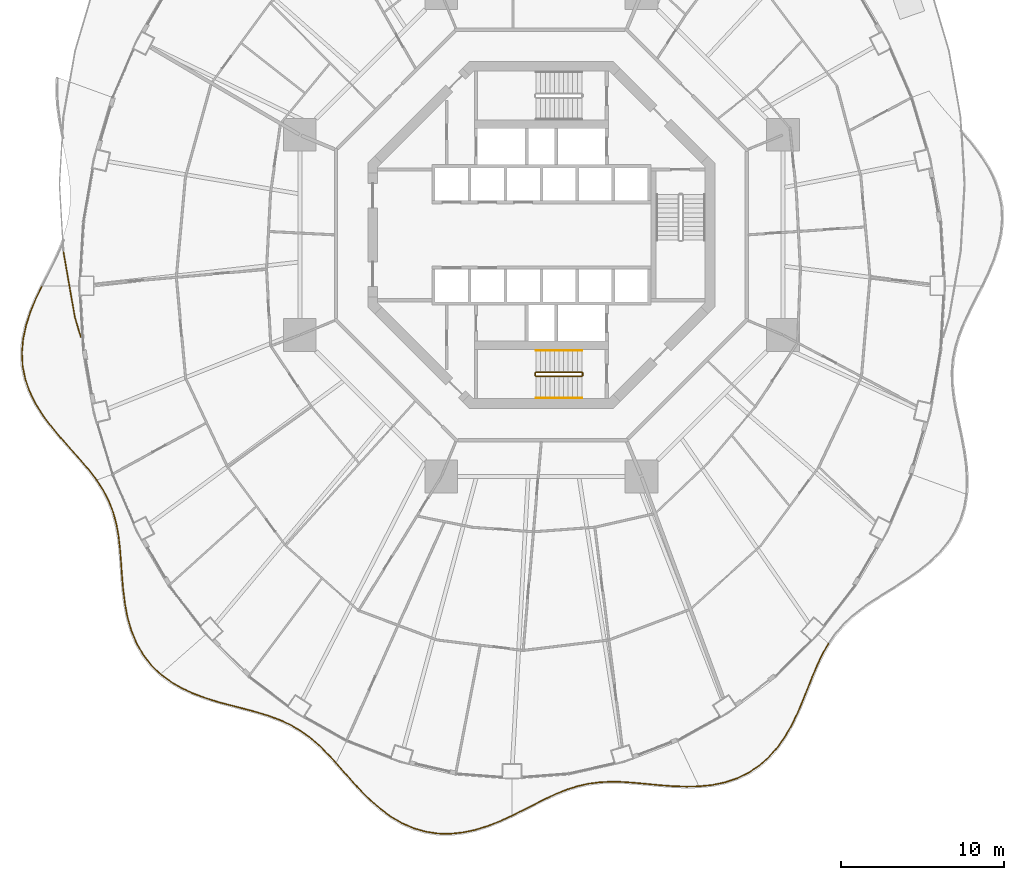
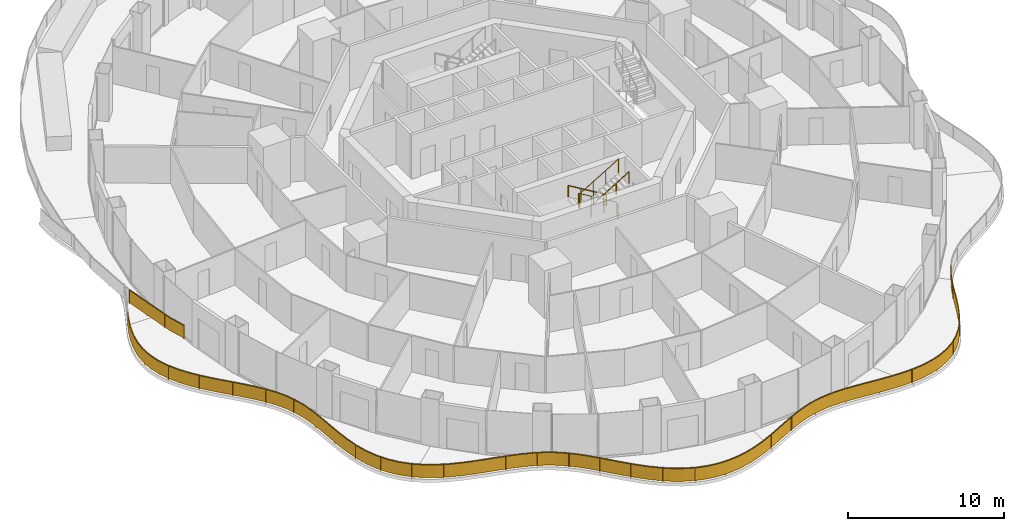
# One storey, part 18 of 20: 10 railings.
"""IFC4 building model written with IfcOpenShell, lengths in metres."""

from ifc_helpers import new_model, si_unit, direction, frame, origin, origin_2d, place, context, subcontext, project, spatial, polyline, rectangle, circle, outline, extrude, material, type_object, element, save


model = new_model("IFC4")

# Units and contexts
model_context = context("Model", 3, precision=1e-05, world=origin(), true_north=direction((0.0, 1.0)))
body_context = subcontext(model_context, "Body", "Model", "MODEL_VIEW")
ifc_project = project(units=[si_unit("LENGTHUNIT", "METRE"), si_unit("AREAUNIT", "SQUARE_METRE"), si_unit("VOLUMEUNIT", "CUBIC_METRE"), si_unit("PLANEANGLEUNIT", "RADIAN"), si_unit("MASSUNIT", "GRAM", prefix="KILO")], contexts=[model_context])

# Site, building, storey
site_placement = place(None, origin())
site = spatial("IfcSite", under=ifc_project, at=site_placement, CompositionType="ELEMENT")
building_placement = place(site_placement, origin())
building = spatial("IfcBuilding", under=site, at=building_placement, Name="Nagisa Residences", CompositionType="ELEMENT")
storey_placement = place(building_placement, frame((0.0, 0.0, 119.60009765625)))
storey = spatial("IfcBuildingStorey", under=building, at=storey_placement, Name="L29", CompositionType="ELEMENT", Elevation=119.60009765625)

# Railings
ifc_material_1 = material(Name="Stainless steel 316", Category="steel")
railing_type_1 = type_object("IfcRailingType", Name="BALCONY GUARD 1100", PredefinedType="BALUSTRADE", material=ifc_material_1)
railing_1_placement = place(storey_placement, frame((-30.56494140625, -3.11767578125, 0.0)))
element("IfcRailing", 1, at=railing_1_placement, inside=storey, type_object=railing_type_1, Name="guard:L29:bal08-0", PredefinedType="BALUSTRADE", context=body_context, shape_type="SweptSolid", body=[
    extrude(outline(polyline([(-0.353759765625, -0.798828125), (0.0224609375, -0.0107421875), (-0.0224609375, 0.0107421875), (-0.399658203125, -0.7783203125), (-0.7333984375, -1.590576171875), (-0.99951171875, -2.41455078125), (-1.177490234375, -3.24560546875), (-1.25048828125, -4.07666015625), (-1.210205078125, -4.88671875), (-1.05078125, -5.695556640625), (-0.77783203125, -6.48291015625), (-0.40185546875, -7.243896484375), (0.060546875, -7.97607421875), (0.58447265625, -8.664794921875), (1.15185546875, -9.340576171875), (1.734619140625, -9.994140625), (2.306640625, -10.63330078125), (2.8447265625, -11.266845703125), (3.32861328125, -11.8984375), (3.3681640625, -11.8681640625), (2.8837890625, -11.235595703125), (2.34423828125, -10.6005859375), (1.771728515625, -9.9609375), (1.18994140625, -9.307861328125), (0.62353515625, -8.633544921875), (0.1015625, -7.947265625), (-0.35791015625, -7.219482421875), (-0.7314453125, -6.46337890625), (-1.00244140625, -5.682373046875), (-1.160400390625, -4.88037109375), (-1.2001953125, -4.07763671875), (-1.127685546875, -3.2529296875), (-0.951171875, -2.427734375), (-0.6865234375, -1.607666015625), (-0.353759765625, -0.798828125)])), frame((0.0, 0.0, 1.050048828125)), (0.0, 0.0, 1.0), 0.050048828125),
    extrude(outline(polyline([(-0.370361328125, -0.79150390625), (0.00634765625, -0.0029296875), (-0.00634765625, 0.0029296875), (-0.383056640625, -0.78564453125), (-0.716552734375, -1.5966796875), (-0.982177734375, -2.41943359375), (-1.159423828125, -3.248291015625), (-1.232421875, -4.076904296875), (-1.1923828125, -4.884521484375), (-1.033447265625, -5.69091796875), (-0.76123046875, -6.475830078125), (-0.385986328125, -7.235107421875), (0.0751953125, -7.965576171875), (0.5986328125, -8.653564453125), (1.16552734375, -9.328857421875), (1.748046875, -9.982177734375), (2.320068359375, -10.62158203125), (2.85888671875, -11.255615234375), (3.3427734375, -11.887451171875), (3.35400390625, -11.879150390625), (2.86962890625, -11.246826171875), (2.330810546875, -10.6123046875), (1.75830078125, -9.972900390625), (1.17626953125, -9.319580078125), (0.609375, -8.644775390625), (0.0869140625, -7.957763671875), (-0.373779296875, -7.228271484375), (-0.748046875, -6.470458984375), (-1.019775390625, -5.68701171875), (-1.17822265625, -4.882568359375), (-1.21826171875, -4.077392578125), (-1.145751953125, -3.250244140625), (-0.968505859375, -2.4228515625), (-0.703369140625, -1.6015625), (-0.370361328125, -0.79150390625)])), frame((0.0, 0.0, 0.06005859375)), (0.0, 0.0, 1.0), 0.989990234375),
    extrude(rectangle(XDim=0.0400390625, YDim=0.0400390625, at=origin_2d()), origin(), (0.0, 0.0, 1.0), 1.050048828125),
    extrude(rectangle(XDim=0.0400390625, YDim=0.0400390625, at=origin_2d()), frame((-0.866943359375, -2.085205078125, 0.0)), (0.0, 0.0, 1.0), 1.050048828125),
    extrude(rectangle(XDim=0.0400390625, YDim=0.0400390625, at=origin_2d()), frame((-1.2138671875, -4.30712890625, 0.0)), (0.0, 0.0, 1.0), 1.050048828125),
    extrude(rectangle(XDim=0.0400390625, YDim=0.0400390625, at=origin_2d()), frame((-0.739990234375, -6.502685546875, 0.0)), (0.0, 0.0, 1.0), 1.050048828125),
    extrude(rectangle(XDim=0.0400390625, YDim=0.0400390625, at=origin_2d()), frame((0.43505859375, -8.427001953125, 0.0)), (0.0, 0.0, 1.0), 1.050048828125),
    extrude(rectangle(XDim=0.0400390625, YDim=0.0400390625, at=origin_2d()), frame((1.903564453125, -10.1455078125, 0.0)), (0.0, 0.0, 1.0), 1.050048828125),
    extrude(rectangle(XDim=0.0400390625, YDim=0.0400390625, at=origin_2d()), frame((3.348388671875, -11.88330078125, 0.0)), (0.0, 0.0, 1.0), 1.050048828125),
])
railing_2_placement = place(storey_placement, frame((-27.216552734375, -15.0009765625, 0.0)))
element("IfcRailing", 2, at=railing_2_placement, inside=storey, type_object=railing_type_1, Name="guard:L29:bal09-0", PredefinedType="BALUSTRADE", context=body_context, shape_type="SweptSolid", body=[
    extrude(outline(polyline([(0.426513671875, -0.61376953125), (0.02099609375, 0.013671875), (-0.02099609375, -0.013671875), (0.383056640625, -0.638671875), (0.718994140625, -1.291748046875), (0.98291015625, -1.9736328125), (1.178466796875, -2.689697265625), (1.315673828125, -3.441650390625), (1.4013671875, -4.2158203125), (1.466796875, -5.033935546875), (1.525390625, -5.875), (1.598388671875, -6.728759765625), (1.707275390625, -7.58203125), (1.86181640625, -8.40869140625), (2.095458984375, -9.218017578125), (2.41162109375, -9.98388671875), (2.8173828125, -10.693115234375), (3.313720703125, -11.33544921875), (3.892333984375, -11.897216796875), (3.927001953125, -11.861083984375), (3.351318359375, -11.30224609375), (2.85888671875, -10.665283203125), (2.45654296875, -9.9619140625), (2.142822265625, -9.201416015625), (1.91064453125, -8.39697265625), (1.756591796875, -7.57421875), (1.648193359375, -6.723388671875), (1.5751953125, -5.87109375), (1.5166015625, -5.030029296875), (1.451171875, -4.2109375), (1.364990234375, -3.434326171875), (1.227294921875, -2.678466796875), (1.0302734375, -1.9580078125), (0.764892578125, -1.271240234375), (0.426513671875, -0.61376953125)])), frame((0.0, 0.0, 1.050048828125)), (0.0, 0.0, 1.0), 0.050048828125),
    extrude(outline(polyline([(0.410888671875, -0.622802734375), (0.005859375, 0.00390625), (-0.005859375, -0.00390625), (0.398681640625, -0.629638671875), (0.735595703125, -1.284423828125), (1.0, -1.968017578125), (1.196044921875, -2.685546875), (1.33349609375, -3.43896484375), (1.419189453125, -4.214111328125), (1.484619140625, -5.032470703125), (1.543212890625, -5.87353515625), (1.6162109375, -6.726806640625), (1.72509765625, -7.5791015625), (1.87939453125, -8.404541015625), (2.112548828125, -9.2119140625), (2.427734375, -9.97607421875), (2.832275390625, -10.68310546875), (3.327392578125, -11.323486328125), (3.90478515625, -11.88427734375), (3.91455078125, -11.8740234375), (3.337646484375, -11.314208984375), (2.843994140625, -10.67529296875), (2.4404296875, -9.9697265625), (2.125732421875, -9.20751953125), (1.89306640625, -8.401123046875), (1.73876953125, -7.5771484375), (1.63037109375, -6.725341796875), (1.557373046875, -5.87255859375), (1.498779296875, -5.031494140625), (1.433349609375, -4.212646484375), (1.34716796875, -3.43701171875), (1.209716796875, -2.6826171875), (1.01318359375, -1.963623046875), (0.748291015625, -1.278564453125), (0.410888671875, -0.622802734375)])), frame((0.0, 0.0, 0.06005859375)), (0.0, 0.0, 1.0), 0.989990234375),
    extrude(rectangle(XDim=0.0400390625, YDim=0.0400390625, at=origin_2d()), origin(), (0.0, 0.0, 1.0), 1.050048828125),
    extrude(rectangle(XDim=0.0400390625, YDim=0.0400390625, at=origin_2d()), frame((0.977783203125, -1.89111328125, 0.0)), (0.0, 0.0, 1.0), 1.050048828125),
    extrude(rectangle(XDim=0.0400390625, YDim=0.0400390625, at=origin_2d()), frame((1.400390625, -3.97998046875, 0.0)), (0.0, 0.0, 1.0), 1.050048828125),
    extrude(rectangle(XDim=0.0400390625, YDim=0.0400390625, at=origin_2d()), frame((1.570556640625, -6.109375, 0.0)), (0.0, 0.0, 1.0), 1.050048828125),
    extrude(rectangle(XDim=0.0400390625, YDim=0.0400390625, at=origin_2d()), frame((1.85302734375, -8.225341796875, 0.0)), (0.0, 0.0, 1.0), 1.050048828125),
    extrude(rectangle(XDim=0.0400390625, YDim=0.0400390625, at=origin_2d()), frame((2.578125, -10.224853515625, 0.0)), (0.0, 0.0, 1.0), 1.050048828125),
    extrude(rectangle(XDim=0.0400390625, YDim=0.0400390625, at=origin_2d()), frame((3.90966796875, -11.879150390625, 0.0)), (0.0, 0.0, 1.0), 1.050048828125),
])
railing_3_placement = place(storey_placement, frame((-23.306884765625, -26.880126953125, 0.0)))
element("IfcRailing", 3, at=railing_3_placement, inside=storey, type_object=railing_type_1, Name="guard:L29:bal10-0", PredefinedType="BALUSTRADE", context=body_context, shape_type="SweptSolid", body=[
    extrude(outline(polyline([(0.63671875, -0.442138671875), (0.014892578125, 0.02001953125), (-0.014892578125, -0.02001953125), (0.60888671875, -0.484130859375), (1.301025390625, -0.88623046875), (2.04052734375, -1.2255859375), (2.81298828125, -1.510498046875), (3.6025390625, -1.7529296875), (4.381591796875, -1.955810546875), (5.160888671875, -2.156494140625), (5.916259765625, -2.3603515625), (6.638427734375, -2.58349609375), (7.322509765625, -2.83984375), (7.95263671875, -3.1318359375), (8.55810546875, -3.486083984375), (9.129638671875, -3.89794921875), (9.67529296875, -4.367431640625), (10.20458984375, -4.890380859375), (10.719970703125, -5.453125), (10.757080078125, -5.41943359375), (10.24072265625, -4.855712890625), (9.70947265625, -4.330810546875), (9.160888671875, -3.8583984375), (8.58544921875, -3.444091796875), (7.97607421875, -3.08740234375), (7.342041015625, -2.79345703125), (6.654541015625, -2.5361328125), (5.929931640625, -2.3125), (5.173583984375, -2.108154296875), (4.394287109375, -1.907470703125), (3.6162109375, -1.70458984375), (2.8291015625, -1.463134765625), (2.0595703125, -1.17919921875), (1.323974609375, -0.841796875), (0.63671875, -0.442138671875)])), frame((0.0, 0.0, 1.050048828125)), (0.0, 0.0, 1.0), 0.050048828125),
    extrude(outline(polyline([(0.626708984375, -0.457275390625), (0.004150390625, 0.005615234375), (-0.004150390625, -0.005615234375), (0.618896484375, -0.468994140625), (1.309326171875, -0.8701171875), (2.04736328125, -1.208984375), (2.81884765625, -1.493408203125), (3.607421875, -1.735595703125), (4.38623046875, -1.9384765625), (5.16552734375, -2.13916015625), (5.921142578125, -2.34326171875), (6.644287109375, -2.56640625), (7.32958984375, -2.822998046875), (7.961181640625, -3.11572265625), (8.56787109375, -3.470947265625), (9.140869140625, -3.8837890625), (9.687744140625, -4.354248046875), (10.217529296875, -4.8779296875), (10.7333984375, -5.44091796875), (10.74365234375, -5.431640625), (10.227783203125, -4.8681640625), (9.697021484375, -4.343994140625), (9.149658203125, -3.87255859375), (8.57568359375, -3.459228515625), (7.967529296875, -3.103515625), (7.3349609375, -2.810302734375), (6.648681640625, -2.55322265625), (5.925048828125, -2.32958984375), (5.1689453125, -2.12548828125), (4.3896484375, -1.9248046875), (3.611328125, -1.721923828125), (2.8232421875, -1.480224609375), (2.052734375, -1.19580078125), (1.315673828125, -0.85791015625), (0.626708984375, -0.457275390625)])), frame((0.0, 0.0, 0.06005859375)), (0.0, 0.0, 1.0), 0.989990234375),
    extrude(rectangle(XDim=0.0400390625, YDim=0.0400390625, at=origin_2d()), origin(), (0.0, 0.0, 1.0), 1.050048828125),
    extrude(rectangle(XDim=0.0400390625, YDim=0.0400390625, at=origin_2d()), frame((1.738037109375, -1.05908203125, 0.0)), (0.0, 0.0, 1.0), 1.050048828125),
    extrude(rectangle(XDim=0.0400390625, YDim=0.0400390625, at=origin_2d()), frame((3.659912109375, -1.741943359375, 0.0)), (0.0, 0.0, 1.0), 1.050048828125),
    extrude(rectangle(XDim=0.0400390625, YDim=0.0400390625, at=origin_2d()), frame((5.63525390625, -2.2587890625, 0.0)), (0.0, 0.0, 1.0), 1.050048828125),
    extrude(rectangle(XDim=0.0400390625, YDim=0.0400390625, at=origin_2d()), frame((7.563232421875, -2.923583984375, 0.0)), (0.0, 0.0, 1.0), 1.050048828125),
    extrude(rectangle(XDim=0.0400390625, YDim=0.0400390625, at=origin_2d()), frame((9.28857421875, -4.00146484375, 0.0)), (0.0, 0.0, 1.0), 1.050048828125),
    extrude(rectangle(XDim=0.0400390625, YDim=0.0400390625, at=origin_2d()), frame((10.738525390625, -5.436279296875, 0.0)), (0.0, 0.0, 1.0), 1.050048828125),
])
railing_4_placement = place(storey_placement, frame((-12.568359375, -32.31640625, 0.0)))
element("IfcRailing", 4, at=railing_4_placement, inside=storey, type_object=railing_type_1, Name="guard:L29:bal11-0", PredefinedType="BALUSTRADE", context=body_context, shape_type="SweptSolid", body=[
    extrude(outline(polyline([(0.519775390625, -0.555419921875), (0.018798828125, 0.0166015625), (-0.018798828125, -0.0166015625), (0.482177734375, -0.588623046875), (1.004638671875, -1.177490234375), (1.549560546875, -1.7626953125), (2.12255859375, -2.326416015625), (2.729248046875, -2.850341796875), (3.354248046875, -3.31201171875), (4.03125, -3.7060546875), (4.740234375, -4.014404296875), (5.47705078125, -4.228515625), (6.234619140625, -4.34375), (6.98974609375, -4.357421875), (7.764892578125, -4.278564453125), (8.539306640625, -4.114501953125), (9.304443359375, -3.87744140625), (10.055419921875, -3.582763671875), (10.77880859375, -3.2490234375), (10.7578125, -3.20361328125), (10.035888671875, -3.536865234375), (9.287841796875, -3.830078125), (8.526611328125, -4.066162109375), (7.757080078125, -4.229248046875), (6.98779296875, -4.30712890625), (6.239013671875, -4.2939453125), (5.48779296875, -4.1796875), (4.75732421875, -3.967041015625), (4.0537109375, -3.6611328125), (3.381591796875, -3.27001953125), (2.760498046875, -2.811279296875), (2.15673828125, -2.289794921875), (1.585205078125, -1.72802734375), (1.041748046875, -1.143798828125), (0.519775390625, -0.555419921875)])), frame((0.0, 0.0, 1.050048828125)), (0.0, 0.0, 1.0), 0.050048828125),
    extrude(outline(polyline([(0.50634765625, -0.5673828125), (0.00537109375, 0.004638671875), (-0.00537109375, -0.004638671875), (0.49560546875, -0.57666015625), (1.01806640625, -1.165283203125), (1.562255859375, -1.750244140625), (2.135009765625, -2.313232421875), (2.740478515625, -2.836181640625), (3.364013671875, -3.296875), (4.039306640625, -3.68994140625), (4.746337890625, -3.997314453125), (5.48095703125, -4.2109375), (6.236328125, -4.325927734375), (6.989013671875, -4.33935546875), (7.761962890625, -4.2607421875), (8.53466796875, -4.09716796875), (9.29833984375, -3.8603515625), (10.04833984375, -3.566162109375), (10.771240234375, -3.232666015625), (10.765380859375, -3.219970703125), (10.04296875, -3.553466796875), (9.2939453125, -3.84716796875), (8.53125, -4.08349609375), (7.760009765625, -4.2470703125), (6.988525390625, -4.3251953125), (6.2373046875, -4.311767578125), (5.48388671875, -4.197265625), (4.751220703125, -3.984130859375), (4.045654296875, -3.67724609375), (3.371826171875, -3.28515625), (2.749267578125, -2.825439453125), (2.144287109375, -2.302978515625), (1.572509765625, -1.740478515625), (1.0283203125, -1.156005859375), (0.50634765625, -0.5673828125)])), frame((0.0, 0.0, 0.06005859375)), (0.0, 0.0, 1.0), 0.989990234375),
    extrude(rectangle(XDim=0.0400390625, YDim=0.0400390625, at=origin_2d()), origin(), (0.0, 0.0, 1.0), 1.050048828125),
    extrude(rectangle(XDim=0.0400390625, YDim=0.0400390625, at=origin_2d()), frame((1.390380859375, -1.55517578125, 0.0)), (0.0, 0.0, 1.0), 1.050048828125),
    extrude(rectangle(XDim=0.0400390625, YDim=0.0400390625, at=origin_2d()), frame((2.92529296875, -2.964111328125, 0.0)), (0.0, 0.0, 1.0), 1.050048828125),
    extrude(rectangle(XDim=0.0400390625, YDim=0.0400390625, at=origin_2d()), frame((4.7353515625, -3.98486328125, 0.0)), (0.0, 0.0, 1.0), 1.050048828125),
    extrude(rectangle(XDim=0.0400390625, YDim=0.0400390625, at=origin_2d()), frame((6.781494140625, -4.32861328125, 0.0)), (0.0, 0.0, 1.0), 1.050048828125),
    extrude(rectangle(XDim=0.0400390625, YDim=0.0400390625, at=origin_2d()), frame((8.83251953125, -3.99755859375, 0.0)), (0.0, 0.0, 1.0), 1.050048828125),
    extrude(rectangle(XDim=0.0400390625, YDim=0.0400390625, at=origin_2d()), frame((10.768310546875, -3.226318359375, 0.0)), (0.0, 0.0, 1.0), 1.050048828125),
])
railing_5_placement = place(storey_placement, frame((-1.800048828125, -35.542724609375, 0.0)))
element("IfcRailing", 5, at=railing_5_placement, inside=storey, type_object=railing_type_1, Name="guard:L29:bal12-0", PredefinedType="BALUSTRADE", context=body_context, shape_type="SweptSolid", body=[
    extrude(outline(polyline([(0.6923828125, 0.37548828125), (-0.01123046875, 0.0224609375), (0.01123046875, -0.0224609375), (0.71484375, 0.3310546875), (1.408203125, 0.685791015625), (2.084716796875, 1.0234375), (2.748779296875, 1.32861328125), (3.405517578125, 1.587890625), (4.044189453125, 1.790771484375), (4.70654296875, 1.936767578125), (5.38134765625, 2.02392578125), (6.07421875, 2.0556640625), (6.7890625, 2.041015625), (7.5107421875, 1.986083984375), (8.2724609375, 1.916015625), (9.05322265625, 1.842529296875), (9.848876953125, 1.782958984375), (10.6513671875, 1.7548828125), (11.44287109375, 1.771484375), (11.44189453125, 1.8212890625), (10.65185546875, 1.80517578125), (9.851806640625, 1.832763671875), (9.0576171875, 1.892333984375), (8.27685546875, 1.9658203125), (7.51513671875, 2.035888671875), (6.79150390625, 2.0908203125), (6.07373046875, 2.10595703125), (5.376953125, 2.07373046875), (4.69775390625, 1.986083984375), (4.031005859375, 1.839111328125), (3.388916015625, 1.63525390625), (2.729248046875, 1.37451171875), (2.063232421875, 1.068359375), (1.3857421875, 0.730224609375), (0.6923828125, 0.37548828125)])), frame((0.0, 0.0, 1.050048828125)), (0.0, 0.0, 1.0), 0.050048828125),
    extrude(outline(polyline([(0.700439453125, 0.359619140625), (-0.003173828125, 0.00634765625), (0.003173828125, -0.00634765625), (0.706787109375, 0.346923828125), (1.400146484375, 0.70166015625), (2.076904296875, 1.03955078125), (2.74169921875, 1.34521484375), (3.399658203125, 1.60498046875), (4.039306640625, 1.80810546875), (4.703369140625, 1.95458984375), (5.379638671875, 2.041748046875), (6.073974609375, 2.07373046875), (6.7900390625, 2.058837890625), (7.512451171875, 2.00390625), (8.27392578125, 1.933837890625), (9.054931640625, 1.8603515625), (9.849853515625, 1.80078125), (10.651611328125, 1.77294921875), (11.442626953125, 1.789306640625), (11.442138671875, 1.803466796875), (10.651611328125, 1.787109375), (9.850830078125, 1.81494140625), (9.055908203125, 1.87451171875), (8.275390625, 1.947998046875), (7.513427734375, 2.01806640625), (6.79052734375, 2.072998046875), (6.073974609375, 2.087890625), (5.378662109375, 2.055908203125), (4.700927734375, 1.96826171875), (4.035888671875, 1.82177734375), (3.394775390625, 1.6181640625), (2.736328125, 1.35791015625), (2.071044921875, 1.05224609375), (1.393798828125, 0.71435546875), (0.700439453125, 0.359619140625)])), frame((0.0, 0.0, 0.06005859375)), (0.0, 0.0, 1.0), 0.989990234375),
    extrude(rectangle(XDim=0.0400390625, YDim=0.0400390625, at=origin_2d()), origin(), (0.0, 0.0, 1.0), 1.050048828125),
    extrude(rectangle(XDim=0.0400390625, YDim=0.0400390625, at=origin_2d()), frame((2.12109375, 1.067626953125, 0.0)), (0.0, 0.0, 1.0), 1.050048828125),
    extrude(rectangle(XDim=0.0400390625, YDim=0.0400390625, at=origin_2d()), frame((4.34521484375, 1.8828125, 0.0)), (0.0, 0.0, 1.0), 1.050048828125),
    extrude(rectangle(XDim=0.0400390625, YDim=0.0400390625, at=origin_2d()), frame((6.704833984375, 2.067626953125, 0.0)), (0.0, 0.0, 1.0), 1.050048828125),
    extrude(rectangle(XDim=0.0400390625, YDim=0.0400390625, at=origin_2d()), frame((9.070556640625, 1.8662109375, 0.0)), (0.0, 0.0, 1.0), 1.050048828125),
    extrude(rectangle(XDim=0.0400390625, YDim=0.0400390625, at=origin_2d()), frame((11.4423828125, 1.79638671875, 0.0)), (0.0, 0.0, 1.0), 1.050048828125),
])
railing_6_placement = place(storey_placement, frame((9.642333984375, -33.746337890625, 0.0)))
element("IfcRailing", 6, at=railing_6_placement, inside=storey, type_object=railing_type_1, Name="guard:L29:bal13-0", PredefinedType="BALUSTRADE", context=body_context, shape_type="SweptSolid", body=[
    extrude(outline(polyline([(0.803466796875, 0.10693359375), (-0.00244140625, 0.02490234375), (0.00244140625, -0.02490234375), (0.811279296875, 0.0576171875), (1.603271484375, 0.223388671875), (2.3583984375, 0.477294921875), (3.06640625, 0.823486328125), (3.71728515625, 1.259765625), (4.297119140625, 1.775146484375), (4.82568359375, 2.37451171875), (5.292236328125, 3.0380859375), (5.70263671875, 3.75), (6.064697265625, 4.493408203125), (6.378173828125, 5.240478515625), (6.68017578125, 5.995849609375), (6.974365234375, 6.734375), (7.27490234375, 7.443115234375), (7.59716796875, 8.112548828125), (7.94873046875, 8.732421875), (7.9052734375, 8.75732421875), (7.552734375, 8.135986328125), (7.2294921875, 7.463623046875), (6.927978515625, 6.75341796875), (6.6337890625, 6.014404296875), (6.331787109375, 5.259521484375), (6.019287109375, 4.513916015625), (5.658203125, 3.7734375), (5.250244140625, 3.06494140625), (4.7861328125, 2.40576171875), (4.261474609375, 1.810302734375), (3.6865234375, 1.29931640625), (3.04150390625, 0.866943359375), (2.33935546875, 0.523681640625), (1.590087890625, 0.271728515625), (0.803466796875, 0.10693359375)])), frame((0.0, 0.0, 1.050048828125)), (0.0, 0.0, 1.0), 0.050048828125),
    extrude(outline(polyline([(0.806396484375, 0.089111328125), (-0.000732421875, 0.007080078125), (0.000732421875, -0.007080078125), (0.808349609375, 0.075439453125), (1.5986328125, 0.24072265625), (2.3515625, 0.493896484375), (3.057373046875, 0.839111328125), (3.706298828125, 1.27392578125), (4.2841796875, 1.787841796875), (4.8115234375, 2.3857421875), (5.277099609375, 3.0478515625), (5.6865234375, 3.758544921875), (6.04833984375, 4.500732421875), (6.361572265625, 5.247314453125), (6.66357421875, 6.00244140625), (6.957763671875, 6.7412109375), (7.258544921875, 7.450439453125), (7.5810546875, 8.12109375), (7.93310546875, 8.741455078125), (7.9208984375, 8.748291015625), (7.56884765625, 8.12744140625), (7.245849609375, 7.456298828125), (6.944580078125, 6.74658203125), (6.650390625, 6.0078125), (6.348388671875, 5.252685546875), (6.03564453125, 4.506591796875), (5.67431640625, 3.764892578125), (5.265380859375, 3.05517578125), (4.80029296875, 2.39453125), (4.2744140625, 1.797607421875), (3.697509765625, 1.28515625), (3.050537109375, 0.851318359375), (2.34619140625, 0.507080078125), (1.5947265625, 0.25439453125), (0.806396484375, 0.089111328125)])), frame((0.0, 0.0, 0.06005859375)), (0.0, 0.0, 1.0), 0.989990234375),
    extrude(rectangle(XDim=0.0400390625, YDim=0.0400390625, at=origin_2d()), origin(), (0.0, 0.0, 1.0), 1.050048828125),
    extrude(rectangle(XDim=0.0400390625, YDim=0.0400390625, at=origin_2d()), frame((2.060791015625, 0.403564453125, 0.0)), (0.0, 0.0, 1.0), 1.050048828125),
    extrude(rectangle(XDim=0.0400390625, YDim=0.0400390625, at=origin_2d()), frame((3.88037109375, 1.438232421875, 0.0)), (0.0, 0.0, 1.0), 1.050048828125),
    extrude(rectangle(XDim=0.0400390625, YDim=0.0400390625, at=origin_2d()), frame((5.253173828125, 3.02587890625, 0.0)), (0.0, 0.0, 1.0), 1.050048828125),
    extrude(rectangle(XDim=0.0400390625, YDim=0.0400390625, at=origin_2d()), frame((6.208740234375, 4.9013671875, 0.0)), (0.0, 0.0, 1.0), 1.050048828125),
    extrude(rectangle(XDim=0.0400390625, YDim=0.0400390625, at=origin_2d()), frame((6.99853515625, 6.85546875, 0.0)), (0.0, 0.0, 1.0), 1.050048828125),
    extrude(rectangle(XDim=0.0400390625, YDim=0.0400390625, at=origin_2d()), frame((7.927001953125, 8.744873046875, 0.0)), (0.0, 0.0, 1.0), 1.050048828125),
])
ifc_material_2 = material(Name="Stainless steel 316", Category="steel")
railing_type_2 = type_object("IfcRailingType", Name="ROOF GUARD 1100", PredefinedType="GUARDRAIL", material=ifc_material_2)
railing_7_placement = place(storey_placement, frame((-29.251220703125, -1.03515625, 0.0)))
element("IfcRailing", 7, at=railing_7_placement, inside=storey, type_object=railing_type_2, Name="guard:L29:garden05", PredefinedType="GUARDRAIL", context=body_context, shape_type="SweptSolid", body=[
    extrude(outline(polyline([(0.724365234375, -3.998046875), (0.024658203125, 0.00439453125), (-0.024658203125, -0.00439453125), (0.675537109375, -4.009765625), (1.032470703125, -5.2060546875), (1.080322265625, -5.19189453125), (0.724365234375, -3.998046875)])), frame((0.0, 0.0, 1.050048828125)), (0.0, 0.0, 1.0), 0.050048828125),
    extrude(outline(polyline([(0.706787109375, -4.002197265625), (0.0068359375, 0.001220703125), (-0.0068359375, -0.001220703125), (0.693115234375, -4.005615234375), (1.0498046875, -5.200927734375), (1.06298828125, -5.197021484375), (0.706787109375, -4.002197265625)])), frame((0.0, 0.0, 0.06005859375)), (0.0, 0.0, 1.0), 0.989990234375),
    extrude(rectangle(XDim=0.0400390625, YDim=0.0400390625, at=origin_2d()), origin(), (0.0, 0.0, 1.0), 1.050048828125),
    extrude(rectangle(XDim=0.0400390625, YDim=0.0400390625, at=origin_2d()), frame((0.304931640625, -1.744140625, 0.0)), (0.0, 0.0, 1.0), 1.050048828125),
    extrude(rectangle(XDim=0.0400390625, YDim=0.0400390625, at=origin_2d()), frame((0.60986328125, -3.48828125, 0.0)), (0.0, 0.0, 1.0), 1.050048828125),
    extrude(rectangle(XDim=0.0400390625, YDim=0.0400390625, at=origin_2d()), frame((1.056396484375, -5.198974609375, 0.0)), (0.0, 0.0, 1.0), 1.050048828125),
])
ifc_material_3 = material(Name="Stainless steel", Category="steel")
railing_type_3 = type_object("IfcRailingType", Name="Stair guard 1100", PredefinedType="GUARDRAIL", material=ifc_material_3)
railing_8_placement = place(storey_placement, frame((2.52490234375, -8.599609375, 0.0)))
element("IfcRailing", 8, at=railing_8_placement, inside=storey, type_object=railing_type_3, Name="L29 ST-S stair guard 1", PredefinedType="GUARDRAIL", context=body_context, shape_type="SweptSolid", body=[
    extrude(circle(Radius=0.02392578125, at=origin_2d()), frame((0.0, 0.0, 1.076171875), z_axis=(0.0, 1.0, 0.0), x_axis=(-1.0, 0.0, 0.0)), (0.0, 0.0, 1.0), 0.14990234375),
    extrude(circle(Radius=0.02392578125, at=origin_2d()), frame((0.0, 0.14990234375, 1.076171875), z_axis=(-0.273343290215, 0.274683208305, 0.921863645432), x_axis=(-0.708833529934, -0.705375805398, 0.0)), (0.0, 0.0, 1.0), 0.18212890625),
    extrude(circle(Radius=0.02392578125, at=origin_2d()), frame((-0.0498046875, 0.199951171875, 1.244140625), z_axis=(-0.857242210791, 0.0, 0.514913383045), x_axis=(0.0, -1.0, 0.0)), (0.0, 0.0, 1.0), 3.266357421875),
    extrude(circle(Radius=0.02392578125, at=origin_2d()), frame((-2.849853515625, 0.199951171875, 2.92578125), z_axis=(-0.707106781187, -0.707106781187, 0.0), x_axis=(0.707106781187, -0.707106781187, 0.0)), (0.0, 0.0, 1.0), 0.07080078125),
    extrude(circle(Radius=0.02392578125, at=origin_2d()), frame((-2.89990234375, 0.14990234375, 2.92578125), z_axis=(0.0, -1.0, 0.0), x_axis=(1.0, 0.0, 0.0)), (0.0, 0.0, 1.0), 0.14990234375),
    extrude(circle(Radius=0.02392578125, at=origin_2d()), frame((-2.89990234375, 0.0, 2.92578125), z_axis=(0.274243871929, -0.274243871929, 0.92172696468), x_axis=(0.707106781187, 0.707106781187, 0.0)), (0.0, 0.0, 1.0), 0.1826171875),
    extrude(circle(Radius=0.02392578125, at=origin_2d()), frame((-2.849853515625, -0.050048828125, 3.09423828125), z_axis=(0.857242210791, 0.0, 0.514913383045), x_axis=(0.0, 1.0, 0.0)), (0.0, 0.0, 1.0), 3.266357421875),
    extrude(circle(Radius=0.02099609375, at=origin_2d()), origin(), (0.0, 0.0, 1.0), 1.052001953125),
    extrude(circle(Radius=0.02099609375, at=origin_2d()), frame((0.0, 0.14990234375, 0.0)), (0.0, 0.0, 1.0), 1.052001953125),
    extrude(circle(Radius=0.02099609375, at=origin_2d()), frame((-0.0498046875, 0.199951171875, 0.16796875)), (0.0, 0.0, 1.0), 1.052001953125),
    extrude(circle(Radius=0.02099609375, at=origin_2d()), frame((-0.983154296875, 0.199951171875, 0.728515625)), (0.0, 0.0, 1.0), 1.052001953125),
    extrude(circle(Radius=0.02099609375, at=origin_2d()), frame((-1.91650390625, 0.199951171875, 1.289306640625)), (0.0, 0.0, 1.0), 1.052001953125),
    extrude(circle(Radius=0.02099609375, at=origin_2d()), frame((-2.849853515625, 0.199951171875, 1.849853515625)), (0.0, 0.0, 1.0), 1.052001953125),
    extrude(circle(Radius=0.02099609375, at=origin_2d()), frame((-2.89990234375, 0.14990234375, 1.849853515625)), (0.0, 0.0, 1.0), 1.052001953125),
    extrude(circle(Radius=0.02099609375, at=origin_2d()), frame((-2.89990234375, 0.0, 1.849853515625)), (0.0, 0.0, 1.0), 1.052001953125),
    extrude(circle(Radius=0.02099609375, at=origin_2d()), frame((-2.849853515625, -0.050048828125, 2.01806640625)), (0.0, 0.0, 1.0), 1.052001953125),
    extrude(circle(Radius=0.02099609375, at=origin_2d()), frame((-1.91650390625, -0.050048828125, 2.57861328125)), (0.0, 0.0, 1.0), 1.052001953125),
    extrude(circle(Radius=0.02099609375, at=origin_2d()), frame((-0.983154296875, -0.050048828125, 3.139404296875)), (0.0, 0.0, 1.0), 1.052001953125),
    extrude(circle(Radius=0.02099609375, at=origin_2d()), frame((-0.0498046875, -0.050048828125, 3.699951171875)), (0.0, 0.0, 1.0), 1.052001953125),
])
ifc_material_4 = material(Name="Stainless steel", Category="steel")
railing_type_4 = type_object("IfcRailingType", Name="Stair handrail 900", PredefinedType="HANDRAIL", material=ifc_material_4)
railing_9_placement = place(storey_placement, frame((2.47509765625, -7.07470703125, 0.16796875)))
element("IfcRailing", 9, at=railing_9_placement, inside=storey, type_object=railing_type_4, Name="L29 ST-S stair handrail 1", PredefinedType="HANDRAIL", context=body_context, shape_type="SweptSolid", body=[
    extrude(circle(Radius=0.02392578125, at=origin_2d()), frame((0.0, 0.0, 0.8759765625), z_axis=(-0.857242210791, 0.0, 0.514913383045), x_axis=(0.0, -1.0, 0.0)), (0.0, 0.0, 1.0), 3.266357421875),
    extrude(circle(Radius=0.02099609375, at=origin_2d()), origin(), (0.0, 0.0, 1.0), 0.851806640625),
    extrude(circle(Radius=0.02099609375, at=origin_2d()), frame((-0.933349609375, 0.0, 0.560546875)), (0.0, 0.0, 1.0), 0.851806640625),
    extrude(circle(Radius=0.02099609375, at=origin_2d()), frame((-1.86669921875, 0.0, 1.121337890625)), (0.0, 0.0, 1.0), 0.851806640625),
    extrude(circle(Radius=0.02099609375, at=origin_2d()), frame((-2.800048828125, 0.0, 1.681884765625)), (0.0, 0.0, 1.0), 0.851806640625),
])
railing_10_placement = place(storey_placement, frame((-0.324951171875, -9.974609375, 2.01806640625)))
element("IfcRailing", 10, at=railing_10_placement, inside=storey, type_object=railing_type_4, Name="L29 ST-S stair handrail 2", PredefinedType="HANDRAIL", context=body_context, shape_type="SweptSolid", body=[
    extrude(circle(Radius=0.02392578125, at=origin_2d()), frame((0.0, 0.0, 0.8759765625), z_axis=(0.857242210791, 0.0, 0.514913383045), x_axis=(0.0, 1.0, 0.0)), (0.0, 0.0, 1.0), 3.266357421875),
    extrude(circle(Radius=0.02099609375, at=origin_2d()), origin(), (0.0, 0.0, 1.0), 0.851806640625),
    extrude(circle(Radius=0.02099609375, at=origin_2d()), frame((0.933349609375, 0.0, 0.560546875)), (0.0, 0.0, 1.0), 0.851806640625),
    extrude(circle(Radius=0.02099609375, at=origin_2d()), frame((1.86669921875, 0.0, 1.121337890625)), (0.0, 0.0, 1.0), 0.851806640625),
    extrude(circle(Radius=0.02099609375, at=origin_2d()), frame((2.800048828125, 0.0, 1.681884765625)), (0.0, 0.0, 1.0), 0.851806640625),
])

save(model, "model.ifc")
